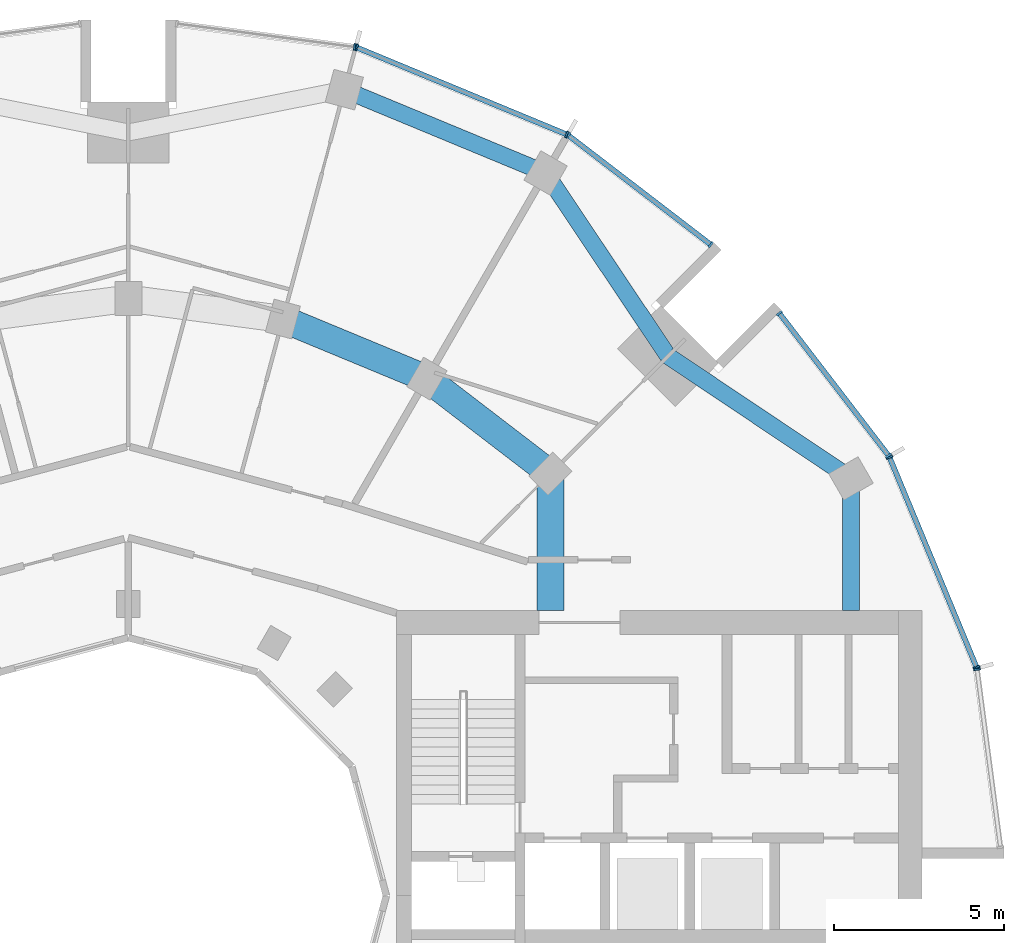
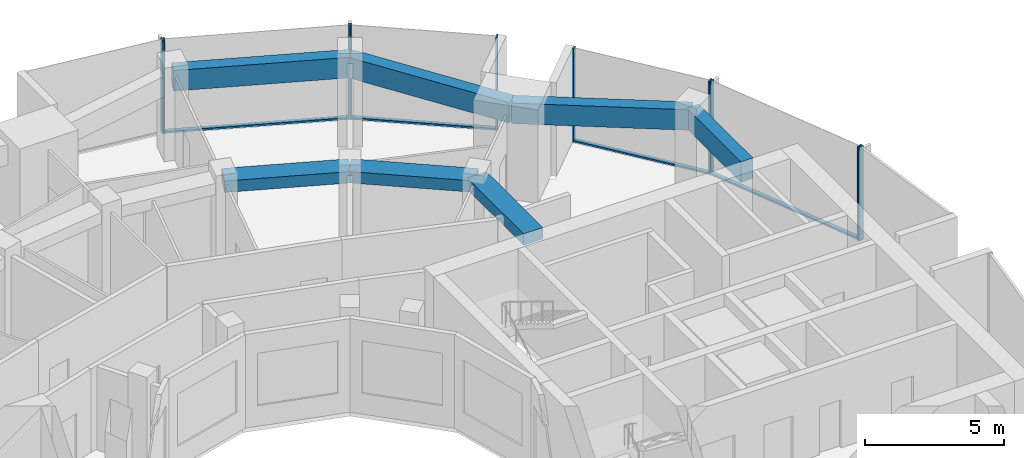
# One storey, part 6 of 15: 14 members, 7 beams, 6 elements without a shape of their own.
"""IFC4 building model written with IfcOpenShell, lengths in metres."""

from ifc_helpers import new_model, si_unit, direction, frame, origin, origin_2d, place, context, subcontext, project, spatial, rectangle, extrude, material, layer, layer_set, material_profile, profile_set, type_object, element, aggregate, save


model = new_model("IFC4")

# Units and contexts
model_context = context("Model", 3, precision=1e-05, world=origin(), true_north=direction((0.0, 1.0)))
body_context = subcontext(model_context, "Body", "Model", "MODEL_VIEW")
ifc_project = project(units=[si_unit("LENGTHUNIT", "METRE"), si_unit("AREAUNIT", "SQUARE_METRE"), si_unit("VOLUMEUNIT", "CUBIC_METRE"), si_unit("PLANEANGLEUNIT", "RADIAN"), si_unit("MASSUNIT", "GRAM", prefix="KILO")], contexts=[model_context])

# Site, building, storey
site_placement = place(None, origin())
site = spatial("IfcSite", under=ifc_project, at=site_placement, CompositionType="ELEMENT")
building_placement = place(site_placement, origin())
building = spatial("IfcBuilding", under=site, at=building_placement, Name="Torre Brocal", CompositionType="ELEMENT")
storey_placement = place(building_placement, frame((0.0, 0.0, 202.800048828125)))
storey = spatial("IfcBuildingStorey", under=building, at=storey_placement, Name="L47", CompositionType="ELEMENT", Elevation=202.800048828125)

# Curtain wall, members
ifc_material_1 = material(Name="Aluminium and glass", Category="aluminium")
ifc_layer_1 = layer(ifc_material_1, 0.199951171875)
ifc_layer_set_1 = layer_set([ifc_layer_1], Name="Aluminium and glass")
curtain_wall_type_1 = type_object("IfcCurtainWallType", Name="CW-1 CURTAIN WALL 4100 HIGH", PredefinedType="NOTDEFINED", material=ifc_layer_set_1)
curtain_wall_1_placement = place(storey_placement, origin())
curtain_wall_1 = element("IfcCurtainWall", 1, at=curtain_wall_1_placement, inside=storey, type_object=curtain_wall_type_1, Name="CW-1 RUN 2", PredefinedType="NOTDEFINED")
ifc_material_2 = material(Name="Aluminium, dark anodised", Category="aluminium")
ifc_material_profile_1 = material_profile(ifc_material_2, rectangle(XDim=0.199951171875, YDim=0.06005859375, at=origin_2d()), Name="CW-1 MULLION 60X200")
ifc_profile_set_1 = profile_set([ifc_material_profile_1], Name="Aluminium, dark anodised")
member_type_1 = type_object("IfcMemberType", Name="CW-1 MULLION 60X200", PredefinedType="MULLION", material=ifc_profile_set_1)
member_1_placement = place(storey_placement, frame((105.005126953125, 81.73095703125, 0.0), z_axis=(0.0, 0.0, 1.0), x_axis=(-0.923879532525, -0.382683432333, 0.0)))
member_1 = element("IfcMember", 2, at=member_1_placement, type_object=member_type_1, Name="CW1-4 mullion 1", PredefinedType="MULLION", context=body_context, shape_type="SweptSolid", body=[
    extrude(rectangle(XDim=0.199951171875, YDim=0.06005859375, at=origin_2d()), origin(), (0.0, 0.0, 1.0), 4.099853515625),
])
member_2_placement = place(storey_placement, frame((102.440673828125, 87.921875, 0.0), z_axis=(0.0, 0.0, 1.0), x_axis=(-0.923879532525, -0.382683432333, 0.0)))
member_2 = element("IfcMember", 3, at=member_2_placement, type_object=member_type_1, Name="CW1-4 mullion 2", PredefinedType="MULLION", context=body_context, shape_type="SweptSolid", body=[
    extrude(rectangle(XDim=0.199951171875, YDim=0.06005859375, at=origin_2d()), origin(), (0.0, 0.0, 1.0), 4.099853515625),
])

curtain_wall_2_placement = place(storey_placement, origin())
curtain_wall_2 = element("IfcCurtainWall", 4, at=curtain_wall_2_placement, inside=storey, type_object=curtain_wall_type_1, Name="CW-1 RUN 3", PredefinedType="NOTDEFINED")
member_3_placement = place(storey_placement, frame((102.4111328125, 87.973388671875, 0.0), z_axis=(0.0, 0.0, 1.0), x_axis=(-0.793353340259, -0.60876142905, 0.0)))
member_3 = element("IfcMember", 5, at=member_3_placement, type_object=member_type_1, Name="CW1-4 mullion 1", PredefinedType="MULLION", context=body_context, shape_type="SweptSolid", body=[
    extrude(rectangle(XDim=0.199951171875, YDim=0.06005859375, at=origin_2d()), origin(), (0.0, 0.0, 1.0), 4.099853515625),
])
member_4_placement = place(storey_placement, frame((99.19140625, 92.16943359375, 0.0), z_axis=(0.0, 0.0, 1.0), x_axis=(-0.793353340259, -0.60876142905, 0.0)))
member_4 = element("IfcMember", 6, at=member_4_placement, type_object=member_type_1, Name="CW1-4 mullion 2", PredefinedType="MULLION", context=body_context, shape_type="SweptSolid", body=[
    extrude(rectangle(XDim=0.199951171875, YDim=0.06005859375, at=origin_2d()), origin(), (0.0, 0.0, 1.0), 4.099853515625),
])

curtain_wall_3_placement = place(storey_placement, origin())
curtain_wall_3 = element("IfcCurtainWall", 7, at=curtain_wall_3_placement, inside=storey, type_object=curtain_wall_type_1, Name="CW-1 RUN 4", PredefinedType="NOTDEFINED")
member_5_placement = place(storey_placement, frame((97.16943359375, 94.19140625, 0.0), z_axis=(0.0, 0.0, 1.0), x_axis=(-0.60876142905, -0.793353340259, 0.0)))
member_5 = element("IfcMember", 8, at=member_5_placement, type_object=member_type_1, Name="CW1-4 mullion 1", PredefinedType="MULLION", context=body_context, shape_type="SweptSolid", body=[
    extrude(rectangle(XDim=0.199951171875, YDim=0.06005859375, at=origin_2d()), origin(), (0.0, 0.0, 1.0), 4.099853515625),
])
member_6_placement = place(storey_placement, frame((92.973388671875, 97.4111328125, 0.0), z_axis=(0.0, 0.0, 1.0), x_axis=(-0.60876142905, -0.793353340259, 0.0)))
member_6 = element("IfcMember", 9, at=member_6_placement, type_object=member_type_1, Name="CW1-4 mullion 2", PredefinedType="MULLION", context=body_context, shape_type="SweptSolid", body=[
    extrude(rectangle(XDim=0.199951171875, YDim=0.06005859375, at=origin_2d()), origin(), (0.0, 0.0, 1.0), 4.099853515625),
])

curtain_wall_4_placement = place(storey_placement, origin())
curtain_wall_4 = element("IfcCurtainWall", 10, at=curtain_wall_4_placement, inside=storey, type_object=curtain_wall_type_1, Name="CW-1 RUN 5", PredefinedType="NOTDEFINED")
member_7_placement = place(storey_placement, frame((92.921875, 97.440673828125, 0.0), z_axis=(0.0, 0.0, 1.0), x_axis=(-0.382683432333, -0.923879532525, 0.0)))
member_7 = element("IfcMember", 11, at=member_7_placement, type_object=member_type_1, Name="CW1-4 mullion 1", PredefinedType="MULLION", context=body_context, shape_type="SweptSolid", body=[
    extrude(rectangle(XDim=0.199951171875, YDim=0.06005859375, at=origin_2d()), origin(), (0.0, 0.0, 1.0), 4.099853515625),
])
member_8_placement = place(storey_placement, frame((86.73095703125, 100.005126953125, 0.0), z_axis=(0.0, 0.0, 1.0), x_axis=(-0.382683432333, -0.923879532525, 0.0)))
member_8 = element("IfcMember", 12, at=member_8_placement, type_object=member_type_1, Name="CW1-4 mullion 2", PredefinedType="MULLION", context=body_context, shape_type="SweptSolid", body=[
    extrude(rectangle(XDim=0.199951171875, YDim=0.06005859375, at=origin_2d()), origin(), (0.0, 0.0, 1.0), 4.099853515625),
])

# Curtain wall, member
curtain_wall_5_placement = place(storey_placement, origin())
curtain_wall_5 = element("IfcCurtainWall", 13, at=curtain_wall_5_placement, inside=storey, type_object=curtain_wall_type_1, Name="CW-1 RUN 6", PredefinedType="NOTDEFINED")
member_9_placement = place(storey_placement, frame((86.67333984375, 100.0205078125, 0.0), z_axis=(0.0, 0.0, 1.0), x_axis=(-0.13052619222, -0.991444861374, 0.0)))
member_9 = element("IfcMember", 14, at=member_9_placement, type_object=member_type_1, Name="CW1-4 mullion 1", PredefinedType="MULLION", context=body_context, shape_type="SweptSolid", body=[
    extrude(rectangle(XDim=0.199951171875, YDim=0.06005859375, at=origin_2d()), origin(), (0.0, 0.0, 1.0), 4.099853515625),
])
aggregate(curtain_wall_5, [member_9])

# Member
ifc_material_3 = material(Name="Aluminium, dark anodised", Category="aluminium")
ifc_material_profile_2 = material_profile(ifc_material_3, rectangle(XDim=0.159912109375, YDim=0.080078125, at=origin_2d()), Name="CW-1 TRANSOM 160X80")
ifc_profile_set_2 = profile_set([ifc_material_profile_2], Name="Aluminium, dark anodised")
member_type_2 = type_object("IfcMemberType", Name="CW-1 TRANSOM 160X80", PredefinedType="USERDEFINED", material=ifc_profile_set_2)
member_10_placement = place(storey_placement, frame((104.99365234375, 81.758544921875, 0.0400390625), z_axis=(-0.38266457234, 0.923887344364, 0.0), x_axis=(-0.923887344364, -0.38266457234, 0.0)))
member_10 = element("IfcMember", 15, at=member_10_placement, type_object=member_type_2, Name="CW1-4 transom 1.1", ObjectType="TRANSOM", PredefinedType="USERDEFINED", context=body_context, shape_type="SweptSolid", body=[
    extrude(rectangle(XDim=0.159912109375, YDim=0.080078125, at=origin_2d()), origin(), (0.0, 0.0, 1.0), 6.640869140625),
])

aggregate(curtain_wall_1, [member_1, member_2, member_10])

member_11_placement = place(storey_placement, frame((102.392822265625, 87.9970703125, 0.0400390625), z_axis=(-0.60874908096, 0.79336281513, 0.0), x_axis=(-0.79336281513, -0.60874908096, 0.0)))
member_11 = element("IfcMember", 16, at=member_11_placement, type_object=member_type_2, Name="CW1-4 transom 1.1", ObjectType="TRANSOM", PredefinedType="USERDEFINED", context=body_context, shape_type="SweptSolid", body=[
    extrude(rectangle(XDim=0.159912109375, YDim=0.080078125, at=origin_2d()), origin(), (0.0, 0.0, 1.0), 5.22900390625),
])

aggregate(curtain_wall_2, [member_3, member_4, member_11])

member_12_placement = place(storey_placement, frame((97.1455078125, 94.209716796875, 0.0400390625), z_axis=(-0.79336281513, 0.60874908096, 0.0), x_axis=(-0.60874908096, -0.79336281513, 0.0)))
member_12 = element("IfcMember", 17, at=member_12_placement, type_object=member_type_2, Name="CW1-4 transom 1.1", ObjectType="TRANSOM", PredefinedType="USERDEFINED", context=body_context, shape_type="SweptSolid", body=[
    extrude(rectangle(XDim=0.159912109375, YDim=0.080078125, at=origin_2d()), origin(), (0.0, 0.0, 1.0), 5.22900390625),
])

aggregate(curtain_wall_3, [member_5, member_6, member_12])

member_13_placement = place(storey_placement, frame((92.89404296875, 97.452392578125, 0.0400390625), z_axis=(-0.923887344364, 0.38266457234, 0.0), x_axis=(-0.38266457234, -0.923887344364, 0.0)))
member_13 = element("IfcMember", 18, at=member_13_placement, type_object=member_type_2, Name="CW1-4 transom 1.1", ObjectType="TRANSOM", PredefinedType="USERDEFINED", context=body_context, shape_type="SweptSolid", body=[
    extrude(rectangle(XDim=0.159912109375, YDim=0.080078125, at=origin_2d()), origin(), (0.0, 0.0, 1.0), 6.640869140625),
])

aggregate(curtain_wall_4, [member_7, member_8, member_13])

# Curtain wall, member
ifc_material_4 = material(Name="Aluminium and glass", Category="aluminium")
ifc_layer_2 = layer(ifc_material_4, 0.199951171875)
ifc_layer_set_2 = layer_set([ifc_layer_2], Name="Aluminium and glass")
curtain_wall_type_2 = type_object("IfcCurtainWallType", Name="CW-1B CURTAIN WALL 4100 HIGH", PredefinedType="NOTDEFINED", material=ifc_layer_set_2)
curtain_wall_6_placement = place(storey_placement, origin())
curtain_wall_6 = element("IfcCurtainWall", 19, at=curtain_wall_6_placement, inside=storey, type_object=curtain_wall_type_2, Name="CW-1B RUN 1", PredefinedType="NOTDEFINED")
ifc_material_5 = material(Name="Aluminium, dark anodised", Category="aluminium")
ifc_material_profile_3 = material_profile(ifc_material_5, rectangle(XDim=0.199951171875, YDim=0.06005859375, at=origin_2d()), Name="CW-1B MULLION 60X200")
ifc_profile_set_3 = profile_set([ifc_material_profile_3], Name="Aluminium, dark anodised")
member_type_3 = type_object("IfcMemberType", Name="CW-1B MULLION 60X200", PredefinedType="MULLION", material=ifc_profile_set_3)
member_14_placement = place(storey_placement, frame((105.0205078125, 81.67333984375, 0.0), z_axis=(0.0, 0.0, 1.0), x_axis=(-0.991444861374, -0.13052619222, 0.0)))
member_14 = element("IfcMember", 20, at=member_14_placement, type_object=member_type_3, Name="CW1B-4 mullion 2", PredefinedType="MULLION", context=body_context, shape_type="SweptSolid", body=[
    extrude(rectangle(XDim=0.199951171875, YDim=0.06005859375, at=origin_2d()), origin(), (0.0, 0.0, 1.0), 4.099853515625),
])
aggregate(curtain_wall_6, [member_14])

# Beams
ifc_material_6 = material(Name="Concrete C50", Category="concrete")
ifc_material_profile_4 = material_profile(ifc_material_6, rectangle(XDim=0.800048828125, YDim=0.5, at=origin_2d()), Name="RC 800X500")
ifc_profile_set_4 = profile_set([ifc_material_profile_4], Name="Concrete C50")
beam_type_1 = type_object("IfcBeamType", Name="RC BEAM 800X500 C50 TOP 3750", PredefinedType="BEAM", material=ifc_profile_set_4)
beam_1_placement = place(storey_placement, frame((92.445068359375, 87.445068359375, 3.5), z_axis=(-0.793358265959, 0.6087550097, 0.0), x_axis=(-0.6087550097, -0.793358265959, 0.0)))
element("IfcBeam", 21, at=beam_1_placement, inside=storey, type_object=beam_type_1, Name="Beam BT-34", PredefinedType="BEAM", context=body_context, shape_type="SweptSolid", body=[
    extrude(rectangle(XDim=0.800048828125, YDim=0.5, at=origin_2d()), origin(), (0.0, 0.0, 1.0), 4.594482421875),
])
beam_2_placement = place(storey_placement, frame((88.800048828125, 90.241943359375, 3.5), z_axis=(-0.923878240166, 0.382686552348, 0.0), x_axis=(-0.382686552348, -0.923878240166, 0.0)))
element("IfcBeam", 22, at=beam_2_placement, inside=storey, type_object=beam_type_1, Name="Beam BT-34", PredefinedType="BEAM", context=body_context, shape_type="SweptSolid", body=[
    extrude(rectangle(XDim=0.800048828125, YDim=0.5, at=origin_2d()), origin(), (0.0, 0.0, 1.0), 4.5947265625),
])
beam_3_placement = place(storey_placement, frame((92.445068359375, 87.445068359375, 3.5), z_axis=(0.0, -1.0, 0.0), x_axis=(1.0, 0.0, 0.0)))
element("IfcBeam", 23, at=beam_3_placement, inside=storey, type_object=beam_type_1, Name="Beam BT-34", PredefinedType="BEAM", context=body_context, shape_type="SweptSolid", body=[
    extrude(rectangle(XDim=0.800048828125, YDim=0.5, at=origin_2d()), origin(), (0.0, 0.0, 1.0), 4.045166015625),
])
ifc_material_7 = material(Name="Concrete C50", Category="concrete")
ifc_material_profile_5 = material_profile(ifc_material_7, rectangle(XDim=0.5, YDim=0.89990234375, at=origin_2d()), Name="RC 500X900")
ifc_profile_set_5 = profile_set([ifc_material_profile_5], Name="Concrete C50")
beam_type_2 = type_object("IfcBeamType", Name="RC SPANDREL BEAM 500X900 C50 TOP 3750", PredefinedType="SPANDREL", material=ifc_profile_set_5)
for number, where, z_axis, x_axis, name in (
    (24, (101.30419921875, 87.300048828125, 3.300048828125), (-0.831076844476, 0.556157602282, 0.0), (-0.556157602282, -0.831076844476, 0.0), "Beam BT-35"),
    (25, (95.909912109375, 90.909912109375, 3.300048828125), (-0.556157602282, 0.831076844476, 0.0), (-0.831076844476, -0.556157602282, 0.0), "Beam BT-35"),
):
    element("IfcBeam", number, at=place(storey_placement, frame(where, z_axis=z_axis, x_axis=x_axis)), inside=storey, type_object=beam_type_2, Name=name, PredefinedType="SPANDREL", context=body_context, shape_type="SweptSolid", body=[
        extrude(rectangle(XDim=0.5, YDim=0.89990234375, at=origin_2d()), origin(), (0.0, 0.0, 1.0), 6.49072265625),
    ])
beam_4_placement = place(storey_placement, frame((92.300048828125, 96.30419921875, 3.300048828125), z_axis=(-0.923882462513, 0.382676358639, 0.0), x_axis=(-0.382676358639, -0.923882462513, 0.0)))
element("IfcBeam", 26, at=beam_4_placement, inside=storey, type_object=beam_type_2, Name="Beam BT-35", PredefinedType="SPANDREL", context=body_context, shape_type="SweptSolid", body=[
    extrude(rectangle(XDim=0.5, YDim=0.89990234375, at=origin_2d()), origin(), (0.0, 0.0, 1.0), 6.421875),
])
beam_5_placement = place(storey_placement, frame((101.30419921875, 87.300048828125, 3.300048828125), z_axis=(0.0, -1.0, 0.0), x_axis=(1.0, 0.0, 0.0)))
element("IfcBeam", 27, at=beam_5_placement, inside=storey, type_object=beam_type_2, Name="Beam BT-35", PredefinedType="SPANDREL", context=body_context, shape_type="SweptSolid", body=[
    extrude(rectangle(XDim=0.5, YDim=0.89990234375, at=origin_2d()), origin(), (0.0, 0.0, 1.0), 3.900146484375),
])

save(model, "model.ifc")
